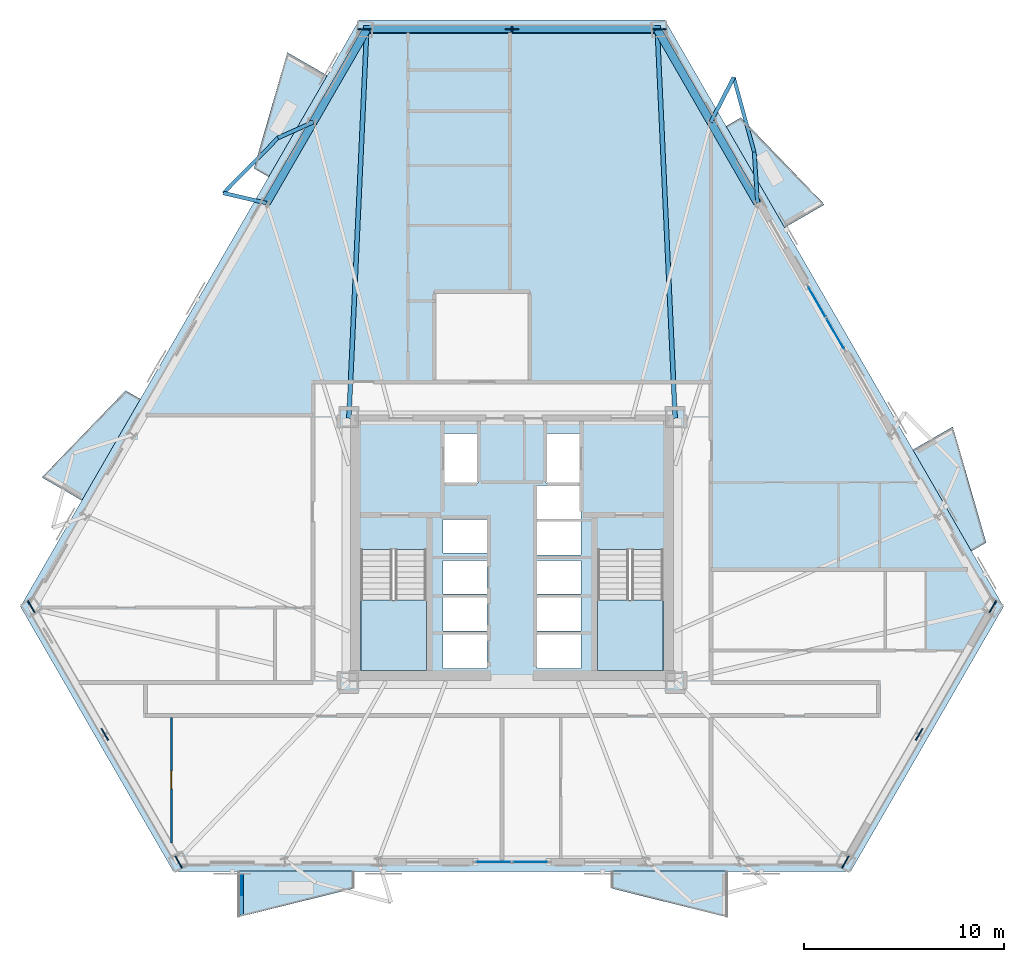
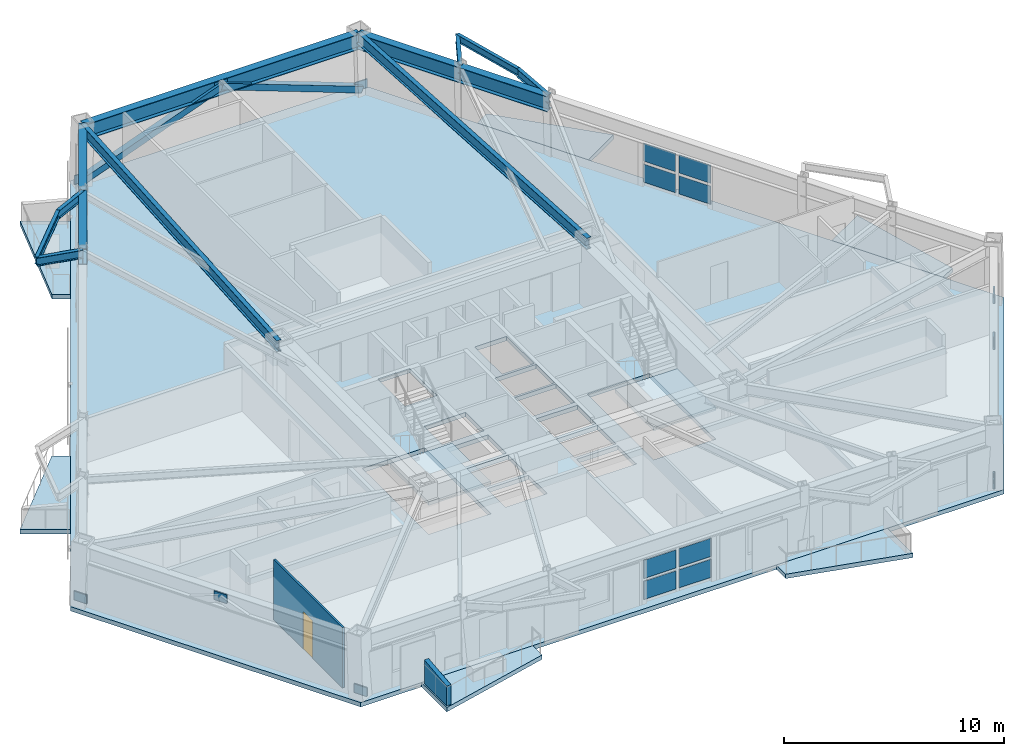
# One storey, part 5 of 15: 17 plates, 13 beams, 9 slabs, 2 members, 2 walls, 1 door, 1 opening, 4 elements without a shape of their own.
"""IFC4 building model written with IfcOpenShell, lengths in metres."""

from ifc_helpers import new_model, si_unit, direction, frame, frame_2d, origin, origin_2d, place, context, subcontext, project, spatial, polyline, rectangle, hollow_rectangle, i_section, outline, extrude, material, layer, layer_set, material_profile, profile_set, type_object, element, fill, aggregate, save


model = new_model("IFC4")

# Units and contexts
model_context = context("Model", 3, precision=1e-05, world=origin(), true_north=direction((0.0, 1.0)))
body_context = subcontext(model_context, "Body", "Model", "MODEL_VIEW")
ifc_project = project(units=[si_unit("LENGTHUNIT", "METRE"), si_unit("AREAUNIT", "SQUARE_METRE"), si_unit("VOLUMEUNIT", "CUBIC_METRE"), si_unit("PLANEANGLEUNIT", "RADIAN"), si_unit("MASSUNIT", "GRAM", prefix="KILO")], contexts=[model_context])

# Site, building, storey
site_placement = place(None, origin())
site = spatial("IfcSite", under=ifc_project, at=site_placement, CompositionType="ELEMENT")
building_placement = place(site_placement, origin())
building = spatial("IfcBuilding", under=site, at=building_placement, Name="Oramaril Tower", CompositionType="ELEMENT")
storey_placement = place(building_placement, frame((0.0, 0.0, 48.89990234375)))
storey = spatial("IfcBuildingStorey", under=building, at=storey_placement, Name="L12", CompositionType="ELEMENT", Elevation=48.89990234375)

# Beams
ifc_material_1 = material(Name="Steel ASTM A572 Gr 50", Category="steel")
ifc_material_profile_1 = material_profile(ifc_material_1, i_section(OverallWidth=0.19091796875, OverallDepth=0.45703125, WebThickness=0.009033203125, FlangeThickness=0.014404296875, at=origin_2d()), Name="W18X50")
ifc_profile_set_1 = profile_set([ifc_material_profile_1], Name="Steel ASTM A572 Gr 50")
beam_type_1 = type_object("IfcBeamType", Name="BT-BB1", PredefinedType="BEAM", material=ifc_profile_set_1)
beam_1_placement = place(storey_placement, frame((49.767578125, 34.896484375, 3.131591796875), z_axis=(-0.065725267405, 0.997837756965, 0.0), x_axis=(-0.997837756965, -0.065725267405, 0.0)))
element("IfcBeam", 1, at=beam_1_placement, inside=storey, type_object=beam_type_1, Name="L12 Balcony Column-Framed Cantilever 04.1", PredefinedType="BEAM", context=body_context, shape_type="SweptSolid", body=[
    extrude(i_section(OverallWidth=0.19091796875, OverallDepth=0.45703125, WebThickness=0.009033203125, FlangeThickness=0.014404296875, at=origin_2d()), origin(), (0.0, 0.0, 1.0), 2.552001953125),
])
beam_2_placement = place(storey_placement, frame((47.429443359375, 38.9462890625, 3.131591796875), z_axis=(0.457623051788, 0.889146299814, 0.0), x_axis=(-0.889146299814, 0.457623051788, 0.0)))
element("IfcBeam", 2, at=beam_2_placement, inside=storey, type_object=beam_type_1, Name="L12 Balcony Column-Framed Cantilever 04.2", PredefinedType="BEAM", context=body_context, shape_type="SweptSolid", body=[
    extrude(i_section(OverallWidth=0.19091796875, OverallDepth=0.45703125, WebThickness=0.009033203125, FlangeThickness=0.014404296875, at=origin_2d()), origin(), (0.0, 0.0, 1.0), 2.5068359375),
])
beam_3_placement = place(storey_placement, frame((27.570556640625, 38.9462890625, 3.131591796875), z_axis=(-0.911583042151, -0.411115990034, 0.0), x_axis=(0.411115990034, -0.911583042151, 0.0)))
element("IfcBeam", 3, at=beam_3_placement, inside=storey, type_object=beam_type_1, Name="L12 Balcony Column-Framed Cantilever 05.1", PredefinedType="BEAM", context=body_context, shape_type="SweptSolid", body=[
    extrude(i_section(OverallWidth=0.19091796875, OverallDepth=0.45703125, WebThickness=0.009033203125, FlangeThickness=0.014404296875, at=origin_2d()), origin(), (0.0, 0.0, 1.0), 1.931884765625),
])
beam_4_placement = place(storey_placement, frame((25.232421875, 34.896484375, 3.131591796875), z_axis=(-0.973537730187, 0.228526339626, 0.0), x_axis=(-0.228526339626, -0.973537730187, 0.0)))
element("IfcBeam", 4, at=beam_4_placement, inside=storey, type_object=beam_type_1, Name="L12 Balcony Column-Framed Cantilever 05.2", PredefinedType="BEAM", context=body_context, shape_type="SweptSolid", body=[
    extrude(i_section(OverallWidth=0.19091796875, OverallDepth=0.45703125, WebThickness=0.009033203125, FlangeThickness=0.014404296875, at=origin_2d()), origin(), (0.0, 0.0, 1.0), 2.201904296875),
])
ifc_material_2 = material(Name="Steel ASTM A572 Gr 50", Category="steel")
ifc_material_profile_2 = material_profile(ifc_material_2, i_section(OverallWidth=0.22900390625, OverallDepth=0.612060546875, WebThickness=0.011962890625, FlangeThickness=0.01953125, at=origin_2d()), Name="W24X84")
ifc_profile_set_2 = profile_set([ifc_material_profile_2], Name="Steel ASTM A572 Gr 50")
beam_type_2 = type_object("IfcBeamType", Name="BT-FB1", PredefinedType="BEAM", material=ifc_profile_set_2)
for number, where, z_axis, x_axis, name in (
    (5, (45.64990234375, 24.14990234375, 3.05419921875), (-0.045902571406, 0.998945921428, 0.0), (-0.998945921428, -0.045902571406, 0.0), "L12 Radial Primary Beam RB-05"),
    (6, (29.35009765625, 24.14990234375, 3.05419921875), (0.045902571406, 0.998945921428, 0.0), (-0.998945921428, 0.045902571406, 0.0), "L12 Radial Primary Beam RB-06"),
):
    element("IfcBeam", number, at=place(storey_placement, frame(where, z_axis=z_axis, x_axis=x_axis)), inside=storey, type_object=beam_type_2, Name=name, PredefinedType="BEAM", context=body_context, shape_type="SweptSolid", body=[
        extrude(i_section(OverallWidth=0.22900390625, OverallDepth=0.612060546875, WebThickness=0.011962890625, FlangeThickness=0.01953125, at=origin_2d()), origin(), (0.0, 0.0, 1.0), 19.445068359375),
    ])
ifc_material_3 = material(Name="Steel ASTM A572 Gr 50", Category="steel")
ifc_material_profile_3 = material_profile(ifc_material_3, i_section(OverallWidth=0.177978515625, OverallDepth=0.404052734375, WebThickness=0.007568359375, FlangeThickness=0.010986328125, at=origin_2d()), Name="W16X36")
ifc_profile_set_3 = profile_set([ifc_material_profile_3], Name="Steel ASTM A572 Gr 50")
beam_type_3 = type_object("IfcBeamType", Name="BT-SB1", PredefinedType="BEAM", material=ifc_profile_set_3)
for number, where, z_axis, x_axis, name in (
    (7, (49.599853515625, 37.44287109375, 3.158203125), (-0.264382243015, 0.964417974521, 0.0), (-0.964417974521, -0.264382243015, 0.0), "L12 Balcony Edge Tie Beam 04"),
    (8, (25.8095703125, 38.152099609375, 3.158203125), (-0.702994511648, -0.71119527318, 0.0), (0.71119527318, -0.702994511648, 0.0), "L12 Balcony Edge Tie Beam 05"),
):
    element("IfcBeam", number, at=place(storey_placement, frame(where, z_axis=z_axis, x_axis=x_axis)), inside=storey, type_object=beam_type_3, Name=name, PredefinedType="BEAM", context=body_context, shape_type="SweptSolid", body=[
        extrude(i_section(OverallWidth=0.177978515625, OverallDepth=0.404052734375, WebThickness=0.007568359375, FlangeThickness=0.010986328125, at=origin_2d()), origin(), (0.0, 0.0, 1.0), 3.8701171875),
    ])
ifc_material_4 = material(Name="Steel ASTM A572 Gr 50", Category="steel")
ifc_material_profile_4 = material_profile(ifc_material_4, i_section(OverallWidth=0.40087890625, OverallDepth=0.85595703125, WebThickness=0.018310546875, FlangeThickness=0.029296875, at=origin_2d()), Name="W33X201")
ifc_profile_set_4 = profile_set([ifc_material_profile_4], Name="Steel ASTM A572 Gr 50")
beam_type_4 = type_object("IfcBeamType", Name="BT-SP1", PredefinedType="SPANDREL", material=ifc_profile_set_4)
beam_5_placement = place(storey_placement, frame((49.767578125, 34.896484375, 2.93212890625), z_axis=(-0.499996622187, 0.866027353957, 0.0), x_axis=(-0.866027353957, -0.499996622187, 0.0)))
element("IfcBeam", 9, at=beam_5_placement, inside=storey, type_object=beam_type_4, Name="L12 Perimeter Spandrel 11", PredefinedType="SPANDREL", context=body_context, shape_type="SweptSolid", body=[
    extrude(i_section(OverallWidth=0.40087890625, OverallDepth=0.85595703125, WebThickness=0.018310546875, FlangeThickness=0.029296875, at=origin_2d()), origin(), (0.0, 0.0, 1.0), 4.67626953125),
])
beam_6_placement = place(storey_placement, frame((47.429443359375, 38.9462890625, 2.93212890625), z_axis=(-0.50000585708, 0.866022022171, 0.0), x_axis=(-0.866022022171, -0.50000585708, 0.0)))
element("IfcBeam", 10, at=beam_6_placement, inside=storey, type_object=beam_type_4, Name="L12 Perimeter Spandrel 12", PredefinedType="SPANDREL", context=body_context, shape_type="SweptSolid", body=[
    extrude(i_section(OverallWidth=0.40087890625, OverallDepth=0.85595703125, WebThickness=0.018310546875, FlangeThickness=0.029296875, at=origin_2d()), origin(), (0.0, 0.0, 1.0), 5.34423828125),
])
beam_7_placement = place(storey_placement, frame((44.75732421875, 43.574462890625, 2.93212890625), z_axis=(-1.0, 0.0, 0.0), x_axis=(0.0, -1.0, 0.0)))
element("IfcBeam", 11, at=beam_7_placement, inside=storey, type_object=beam_type_4, Name="L12 Perimeter Spandrel 13", PredefinedType="SPANDREL", context=body_context, shape_type="SweptSolid", body=[
    extrude(i_section(OverallWidth=0.40087890625, OverallDepth=0.85595703125, WebThickness=0.018310546875, FlangeThickness=0.029296875, at=origin_2d()), origin(), (0.0, 0.0, 1.0), 14.5146484375),
])
beam_8_placement = place(storey_placement, frame((30.24267578125, 43.574462890625, 2.93212890625), z_axis=(-0.50000585708, -0.866022022171, 0.0), x_axis=(0.866022022171, -0.50000585708, 0.0)))
element("IfcBeam", 12, at=beam_8_placement, inside=storey, type_object=beam_type_4, Name="L12 Perimeter Spandrel 14", PredefinedType="SPANDREL", context=body_context, shape_type="SweptSolid", body=[
    extrude(i_section(OverallWidth=0.40087890625, OverallDepth=0.85595703125, WebThickness=0.018310546875, FlangeThickness=0.029296875, at=origin_2d()), origin(), (0.0, 0.0, 1.0), 5.34423828125),
])
beam_9_placement = place(storey_placement, frame((27.570556640625, 38.9462890625, 2.93212890625), z_axis=(-0.499996622187, -0.866027353957, 0.0), x_axis=(0.866027353957, -0.499996622187, 0.0)))
element("IfcBeam", 13, at=beam_9_placement, inside=storey, type_object=beam_type_4, Name="L12 Perimeter Spandrel 15", PredefinedType="SPANDREL", context=body_context, shape_type="SweptSolid", body=[
    extrude(i_section(OverallWidth=0.40087890625, OverallDepth=0.85595703125, WebThickness=0.018310546875, FlangeThickness=0.029296875, at=origin_2d()), origin(), (0.0, 0.0, 1.0), 4.67626953125),
])

# Members
ifc_material_5 = material(Name="Steel ASTM A572 Gr 50", Category="steel")
ifc_material_profile_5 = material_profile(ifc_material_5, hollow_rectangle(XDim=0.35009765625, YDim=0.35009765625, WallThickness=0.01611328125, at=origin_2d()), Name="HSS350X350X16")
ifc_profile_set_5 = profile_set([ifc_material_profile_5], Name="Steel ASTM A572 Gr 50")
member_type = type_object("IfcMemberType", Name="MT-KB1", PredefinedType="BRACE", material=ifc_profile_set_5)
for number, where, z_axis, x_axis, name in (
    (14, (44.86669921875, 43.583984375, 0.18017578125), (-0.936769880465, 0.0, 0.349945983052), (0.0, -1.0, 0.0), "L12 Perimeter Chevron Brace KB-3A"),
    (15, (30.13330078125, 43.583984375, 0.18017578125), (0.936769880465, 0.0, 0.349945983052), (0.0, 1.0, 0.0), "L12 Perimeter Chevron Brace KB-3B"),
):
    element("IfcMember", number, at=place(storey_placement, frame(where, z_axis=z_axis, x_axis=x_axis)), inside=storey, type_object=member_type, Name=name, PredefinedType="BRACE", context=body_context, shape_type="SweptSolid", body=[
        extrude(hollow_rectangle(XDim=0.35009765625, YDim=0.35009765625, WallThickness=0.01611328125, at=origin_2d()), origin(), (0.0, 0.0, 1.0), 7.864013671875),
    ])

# Curtain wall, plates
ifc_material_6 = material(Name="Anodised Aluminium 6063-T6", Category="aluminium")
ifc_layer_1 = layer(ifc_material_6, 0.179931640625)
ifc_layer_set_1 = layer_set([ifc_layer_1], Name="CWT-SYS3")
curtain_wall_type = type_object("IfcCurtainWallType", Name="CWT-SYS3", PredefinedType="NOTDEFINED", material=ifc_layer_set_1)
curtain_wall_1_placement = place(storey_placement, origin())
curtain_wall_1 = element("IfcCurtainWall", 16, at=curtain_wall_1_placement, inside=storey, type_object=curtain_wall_type, Name="L12 Unitised Curtain Wall CW-3", PredefinedType="NOTDEFINED")
ifc_material_7 = material(Name="Coastal Low-E Insulated Glass", Category="glass")
ifc_layer_2 = layer(ifc_material_7, 0.035888671875)
ifc_layer_set_2 = layer_set([ifc_layer_2], Name="PLT-CWP3")
plate_type_1 = type_object("IfcPlateType", Name="PLT-CWP3", PredefinedType="CURTAIN_PANEL", material=ifc_layer_set_2)
plate_1_placement = place(storey_placement, frame((36.570068359375, 1.978271484375, 0.16015625), z_axis=(0.0, 0.0, 1.0), x_axis=(1.0, 0.0, 0.0)))
plate_1 = element("IfcPlate", 17, at=plate_1_placement, type_object=plate_type_1, Name="CW-3 panel 1.1", PredefinedType="CURTAIN_PANEL", context=body_context, shape_type="SweptSolid", body=[
    extrude(rectangle(XDim=1.679931640625, YDim=0.035888671875, at=origin_2d()), origin(), (0.0, 0.0, 1.0), 1.007080078125),
])
plate_2_placement = place(storey_placement, frame((36.570068359375, 1.978271484375, 1.3271484375), z_axis=(0.0, 0.0, 1.0), x_axis=(1.0, 0.0, 0.0)))
plate_2 = element("IfcPlate", 18, at=plate_2_placement, type_object=plate_type_1, Name="CW-3 panel 1.2", PredefinedType="CURTAIN_PANEL", context=body_context, shape_type="SweptSolid", body=[
    extrude(rectangle(XDim=1.679931640625, YDim=0.035888671875, at=origin_2d()), origin(), (0.0, 0.0, 1.0), 1.007080078125),
])
plate_3_placement = place(storey_placement, frame((38.429931640625, 1.978271484375, 0.16015625), z_axis=(0.0, 0.0, 1.0), x_axis=(1.0, 0.0, 0.0)))
plate_3 = element("IfcPlate", 19, at=plate_3_placement, type_object=plate_type_1, Name="CW-3 panel 2.1", PredefinedType="CURTAIN_PANEL", context=body_context, shape_type="SweptSolid", body=[
    extrude(rectangle(XDim=1.679931640625, YDim=0.035888671875, at=origin_2d()), origin(), (0.0, 0.0, 1.0), 1.007080078125),
])
plate_4_placement = place(storey_placement, frame((38.429931640625, 1.978271484375, 1.3271484375), z_axis=(0.0, 0.0, 1.0), x_axis=(1.0, 0.0, 0.0)))
plate_4 = element("IfcPlate", 20, at=plate_4_placement, type_object=plate_type_1, Name="CW-3 panel 2.2", PredefinedType="CURTAIN_PANEL", context=body_context, shape_type="SweptSolid", body=[
    extrude(rectangle(XDim=1.679931640625, YDim=0.035888671875, at=origin_2d()), origin(), (0.0, 0.0, 1.0), 1.007080078125),
])
aggregate(curtain_wall_1, [plate_1, plate_2, plate_3, plate_4])

curtain_wall_2_placement = place(storey_placement, origin())
curtain_wall_2 = element("IfcCurtainWall", 21, at=curtain_wall_2_placement, inside=storey, type_object=curtain_wall_type, Name="L12 Unitised Curtain Wall CW-3", PredefinedType="NOTDEFINED")
plate_5_placement = place(storey_placement, frame((53.658935546875, 28.35546875, 0.16015625), z_axis=(0.0, 0.0, 1.0), x_axis=(-0.499999897278, 0.866025463091, 0.0)))
plate_5 = element("IfcPlate", 22, at=plate_5_placement, type_object=plate_type_1, Name="CW-3 panel 1.1", PredefinedType="CURTAIN_PANEL", context=body_context, shape_type="SweptSolid", body=[
    extrude(rectangle(XDim=1.679931640625, YDim=0.035888671875, at=origin_2d()), origin(), (0.0, 0.0, 1.0), 1.007080078125),
])
plate_6_placement = place(storey_placement, frame((53.658935546875, 28.35546875, 1.3271484375), z_axis=(0.0, 0.0, 1.0), x_axis=(-0.499999897278, 0.866025463091, 0.0)))
plate_6 = element("IfcPlate", 23, at=plate_6_placement, type_object=plate_type_1, Name="CW-3 panel 1.2", PredefinedType="CURTAIN_PANEL", context=body_context, shape_type="SweptSolid", body=[
    extrude(rectangle(XDim=1.679931640625, YDim=0.035888671875, at=origin_2d()), origin(), (0.0, 0.0, 1.0), 1.007080078125),
])
plate_7_placement = place(storey_placement, frame((52.72900390625, 29.96630859375, 0.16015625), z_axis=(0.0, 0.0, 1.0), x_axis=(-0.499999897278, 0.866025463091, 0.0)))
plate_7 = element("IfcPlate", 24, at=plate_7_placement, type_object=plate_type_1, Name="CW-3 panel 2.1", PredefinedType="CURTAIN_PANEL", context=body_context, shape_type="SweptSolid", body=[
    extrude(rectangle(XDim=1.679931640625, YDim=0.035888671875, at=origin_2d()), origin(), (0.0, 0.0, 1.0), 1.007080078125),
])
plate_8_placement = place(storey_placement, frame((52.72900390625, 29.96630859375, 1.3271484375), z_axis=(0.0, 0.0, 1.0), x_axis=(-0.499999897278, 0.866025463091, 0.0)))
plate_8 = element("IfcPlate", 25, at=plate_8_placement, type_object=plate_type_1, Name="CW-3 panel 2.2", PredefinedType="CURTAIN_PANEL", context=body_context, shape_type="SweptSolid", body=[
    extrude(rectangle(XDim=1.679931640625, YDim=0.035888671875, at=origin_2d()), origin(), (0.0, 0.0, 1.0), 1.007080078125),
])
aggregate(curtain_wall_2, [plate_5, plate_6, plate_7, plate_8])

# Plates
ifc_material_8 = material(Name="Steel ASTM A572 Gr 50", Category="steel")
ifc_layer_3 = layer(ifc_material_8, 0.06005859375)
ifc_layer_set_3 = layer_set([ifc_layer_3], Name="PLT-G60")
plate_type_2 = type_object("IfcPlateType", Name="PLT-G60", PredefinedType="USERDEFINED", material=ifc_layer_set_3)
for number, where, z_axis, x_axis, name in (
    (26, (17.162353515625, 8.358154296875, 2.692138671875), (0.0, 0.0, 1.0), (0.5, -0.866025403784, 0.0), "L12 Chevron Brace Gusset Plate BN-1"),
    (27, (13.47900390625, 14.73779296875, 0.10009765625), (0.0, 0.0, 1.0), (0.5, -0.866025403784, 0.0), "L12 Chevron Brace Gusset Plate BN-1"),
    (28, (20.845703125, 1.978271484375, 0.10009765625), (0.0, 0.0, 1.0), (0.5, -0.866025403784, 0.0), "L12 Chevron Brace Gusset Plate BN-1"),
    (29, (57.837646484375, 8.358154296875, 2.692138671875), (0.0, 0.0, 1.0), (0.5, 0.866025403784, 0.0), "L12 Chevron Brace Gusset Plate BN-1"),
    (30, (54.154296875, 1.978271484375, 0.10009765625), (0.0, 0.0, 1.0), (0.5, 0.866025403784, 0.0), "L12 Chevron Brace Gusset Plate BN-1"),
    (31, (61.52099609375, 14.73779296875, 0.10009765625), (0.0, 0.0, 1.0), (0.5, 0.866025403784, 0.0), "L12 Chevron Brace Gusset Plate BN-1"),
    (32, (37.5, 43.583984375, 2.692138671875), (0.0, 0.0, 1.0), (-1.0, 0.0, 0.0), "L12 Chevron Brace Gusset Plate BN-1"),
    (33, (44.86669921875, 43.583984375, 0.10009765625), (0.0, 0.0, 1.0), (-1.0, 0.0, 0.0), "L12 Chevron Brace Gusset Plate BN-1"),
    (34, (30.13330078125, 43.583984375, 0.10009765625), (0.0, 0.0, 1.0), (-1.0, 0.0, 0.0), "L12 Chevron Brace Gusset Plate BN-1"),
):
    element("IfcPlate", number, at=place(storey_placement, frame(where, z_axis=z_axis, x_axis=x_axis)), inside=storey, type_object=plate_type_2, Name=name, ObjectType="GUSSET", PredefinedType="USERDEFINED", context=body_context, shape_type="SweptSolid", body=[
        extrude(rectangle(XDim=0.679931640625, YDim=0.06005859375, at=origin_2d()), origin(), (0.0, 0.0, 1.0), 0.47998046875),
    ])

# Slabs
ifc_material_9 = material(Name="Concrete C40/50", Category="concrete")
ifc_layer_4 = layer(ifc_material_9, 0.199951171875)
ifc_layer_set_4 = layer_set([ifc_layer_4], Name="SLT-BAL20")
slab_type_1 = type_object("IfcSlabType", Name="SLT-BAL20", PredefinedType="FLOOR", material=ifc_layer_set_4)
slab_1_placement = place(storey_placement, frame((0.0, 0.0, -0.239990234375)))
element("IfcSlab", 35, at=slab_1_placement, inside=storey, type_object=slab_type_1, Name="L12 Cantilevered Balcony Slab L12-BAL-S2", PredefinedType="FLOOR", context=body_context, shape_type="SweptSolid", body=[
    extrude(outline(polyline([(42.44482421875, 1.520263671875), (48.294921875, 1.520263671875), (48.294921875, -0.78173828125), (42.44482421875, 0.668212890625), (42.44482421875, 1.520263671875)])), origin(), (0.0, 0.0, 1.0), 0.239990234375),
])
slab_2_placement = place(storey_placement, frame((0.0, 0.0, -0.239990234375)))
element("IfcSlab", 36, at=slab_2_placement, inside=storey, type_object=slab_type_1, Name="L12 Cantilevered Balcony Slab L12-BAL-NE1", PredefinedType="FLOOR", context=body_context, shape_type="SweptSolid", body=[
    extrude(outline(polyline([(60.450439453125, 17.508056640625), (57.525390625, 22.57421875), (59.51904296875, 23.725341796875), (61.188232421875, 17.93408203125), (60.450439453125, 17.508056640625)])), origin(), (0.0, 0.0, 1.0), 0.239990234375),
])
slab_3_placement = place(storey_placement, frame((0.0, 0.0, -0.239990234375)))
element("IfcSlab", 37, at=slab_3_placement, inside=storey, type_object=slab_type_1, Name="L12 Cantilevered Balcony Slab L12-BAL-NW2", PredefinedType="FLOOR", context=body_context, shape_type="SweptSolid", body=[
    extrude(outline(polyline([(18.93701171875, 25.107421875), (16.011962890625, 20.041259765625), (14.018310546875, 21.192138671875), (18.19921875, 25.533447265625), (18.93701171875, 25.107421875)])), origin(), (0.0, 0.0, 1.0), 0.239990234375),
])
ifc_material_10 = material(Name="Concrete C50/60", Category="concrete")
ifc_layer_5 = layer(ifc_material_10, 0.239990234375)
ifc_layer_set_5 = layer_set([ifc_layer_5], Name="SLT-FLR24")
slab_type_2 = type_object("IfcSlabType", Name="SLT-FLR24", PredefinedType="FLOOR", material=ifc_layer_set_5)
slab_4_placement = place(storey_placement, frame((0.0, 0.0, -0.239990234375)))
element("IfcSlab", 38, at=slab_4_placement, inside=storey, type_object=slab_type_2, Name="L12 Structural Floor Slab", PredefinedType="FLOOR", context=body_context, shape_type="SweptSolid", body=[
    extrude(outline(polyline([(12.94775390625, 14.73779296875), (20.580078125, 1.518310546875), (54.419921875, 1.518310546875), (62.05224609375, 14.73779296875), (45.13232421875, 44.0439453125), (29.86767578125, 44.0439453125), (12.94775390625, 14.73779296875)]), holes=[polyline([(29.949951171875, 17.58935546875), (29.949951171875, 11.550048828125), (33.219970703125, 11.550048828125), (33.219970703125, 17.58935546875), (29.949951171875, 17.58935546875)]), polyline([(41.780029296875, 17.58935546875), (41.780029296875, 11.550048828125), (45.050048828125, 11.550048828125), (45.050048828125, 17.58935546875), (41.780029296875, 17.58935546875)]), polyline([(34.110107421875, 20.909912109375), (35.7900390625, 20.909912109375), (35.7900390625, 23.389892578125), (34.110107421875, 23.389892578125), (34.110107421875, 20.909912109375)]), polyline([(39.2099609375, 20.909912109375), (40.889892578125, 20.909912109375), (40.889892578125, 23.389892578125), (39.2099609375, 23.389892578125), (39.2099609375, 20.909912109375)]), polyline([(34.06005859375, 11.659912109375), (36.239990234375, 11.659912109375), (36.239990234375, 13.340087890625), (34.06005859375, 13.340087890625), (34.06005859375, 11.659912109375)]), polyline([(34.06005859375, 13.510009765625), (36.239990234375, 13.510009765625), (36.239990234375, 15.18994140625), (34.06005859375, 15.18994140625), (34.06005859375, 13.510009765625)]), polyline([(34.06005859375, 15.360107421875), (36.239990234375, 15.360107421875), (36.239990234375, 17.0400390625), (34.06005859375, 17.0400390625), (34.06005859375, 15.360107421875)]), polyline([(38.760009765625, 11.659912109375), (40.93994140625, 11.659912109375), (40.93994140625, 13.340087890625), (38.760009765625, 13.340087890625), (38.760009765625, 11.659912109375)]), polyline([(38.760009765625, 13.510009765625), (40.93994140625, 13.510009765625), (40.93994140625, 15.18994140625), (38.760009765625, 15.18994140625), (38.760009765625, 13.510009765625)]), polyline([(38.760009765625, 15.360107421875), (40.93994140625, 15.360107421875), (40.93994140625, 17.0400390625), (38.760009765625, 17.0400390625), (38.760009765625, 15.360107421875)]), polyline([(34.06005859375, 17.409912109375), (36.239990234375, 17.409912109375), (36.239990234375, 19.090087890625), (34.06005859375, 19.090087890625), (34.06005859375, 17.409912109375)]), polyline([(38.760009765625, 17.31005859375), (40.93994140625, 17.31005859375), (40.93994140625, 18.989990234375), (38.760009765625, 18.989990234375), (38.760009765625, 17.31005859375)]), polyline([(38.760009765625, 19.110107421875), (40.93994140625, 19.110107421875), (40.93994140625, 20.7900390625), (38.760009765625, 20.7900390625), (38.760009765625, 19.110107421875)])]), origin(), (0.0, 0.0, 1.0), 0.239990234375),
])

# Stair, slab
ifc_material_11 = material(Name="Concrete C50/60", Category="concrete")
stair_type = type_object("IfcStairType", Name="STT-DG-3600", PredefinedType="HALF_TURN_STAIR", material=ifc_material_11)
stair_1_placement = place(storey_placement, origin())
stair_1 = element("IfcStair", 39, at=stair_1_placement, inside=storey, type_object=stair_type, Name="L12 Protected PFP Exit Stair ST-1", PredefinedType="HALF_TURN_STAIR")
ifc_material_12 = material(Name="Concrete C50/60", Category="concrete")
ifc_layer_6 = layer(ifc_material_12, 0.199951171875)
ifc_layer_set_6 = layer_set([ifc_layer_6], Name="SLT-LND20")
slab_type_3 = type_object("IfcSlabType", Name="SLT-LND20", PredefinedType="LANDING", material=ifc_layer_set_6)
slab_5_placement = place(storey_placement, frame((0.0, 0.0, 1.60009765625)))
slab_5 = element("IfcSlab", 40, at=slab_5_placement, type_object=slab_type_3, Name="ST-1 landing 1", PredefinedType="LANDING", context=body_context, shape_type="SweptSolid", body=[
    extrude(outline(polyline([(29.949951171875, 15.070068359375), (29.949951171875, 11.550048828125), (33.219970703125, 11.550048828125), (33.219970703125, 15.070068359375), (29.949951171875, 15.070068359375)])), origin(), (0.0, 0.0, 1.0), 0.199951171875),
])
aggregate(stair_1, [slab_5])

stair_2_placement = place(storey_placement, origin())
stair_2 = element("IfcStair", 41, at=stair_2_placement, inside=storey, type_object=stair_type, Name="L12 Protected PFP Exit Stair ST-2", PredefinedType="HALF_TURN_STAIR")
slab_6_placement = place(storey_placement, frame((0.0, 0.0, 1.60009765625)))
slab_6 = element("IfcSlab", 42, at=slab_6_placement, type_object=slab_type_3, Name="ST-2 landing 1", PredefinedType="LANDING", context=body_context, shape_type="SweptSolid", body=[
    extrude(outline(polyline([(41.780029296875, 15.070068359375), (41.780029296875, 11.550048828125), (45.050048828125, 11.550048828125), (45.050048828125, 15.070068359375), (41.780029296875, 15.070068359375)])), origin(), (0.0, 0.0, 1.0), 0.199951171875),
])
aggregate(stair_2, [slab_6])

# Slabs
ifc_material_13 = material(Name="Concrete C40/50", Category="concrete")
ifc_layer_7 = layer(ifc_material_13, 0.18994140625)
ifc_layer_set_7 = layer_set([ifc_layer_7], Name="SLT-PLN19")
slab_type_4 = type_object("IfcSlabType", Name="SLT-PLN19", PredefinedType="FLOOR", material=ifc_layer_set_7)
slab_7_placement = place(storey_placement, frame((0.0, 0.0, -0.239990234375)))
element("IfcSlab", 43, at=slab_7_placement, inside=storey, type_object=slab_type_4, Name="L12 Tree Planter Balcony Slab L12-BAL-S1", PredefinedType="FLOOR", context=body_context, shape_type="SweptSolid", body=[
    extrude(outline(polyline([(23.780029296875, 1.520263671875), (29.630126953125, 1.520263671875), (29.630126953125, 0.668212890625), (23.780029296875, -0.78173828125), (23.780029296875, 1.520263671875)])), origin(), (0.0, 0.0, 1.0), 0.239990234375),
])
slab_8_placement = place(storey_placement, frame((0.0, 0.0, -0.239990234375)))
element("IfcSlab", 44, at=slab_8_placement, inside=storey, type_object=slab_type_4, Name="L12 Tree Planter Balcony Slab L12-BAL-NE2", PredefinedType="FLOOR", context=body_context, shape_type="SweptSolid", body=[
    extrude(outline(polyline([(51.1181640625, 33.672119140625), (48.193115234375, 38.738525390625), (48.930908203125, 39.16455078125), (53.11181640625, 34.8232421875), (51.1181640625, 33.672119140625)])), origin(), (0.0, 0.0, 1.0), 0.239990234375),
])
slab_9_placement = place(storey_placement, frame((0.0, 0.0, -0.239990234375)))
element("IfcSlab", 45, at=slab_9_placement, inside=storey, type_object=slab_type_4, Name="L12 Tree Planter Balcony Slab L12-BAL-NW1", PredefinedType="FLOOR", context=body_context, shape_type="SweptSolid", body=[
    extrude(outline(polyline([(28.269287109375, 41.271484375), (25.344482421875, 36.205322265625), (24.606689453125, 36.63134765625), (26.27587890625, 42.422607421875), (28.269287109375, 41.271484375)])), origin(), (0.0, 0.0, 1.0), 0.239990234375),
])

# Wall
ifc_material_14 = material(Name="Concrete C40/50", Category="concrete")
ifc_layer_8 = layer(ifc_material_14, 0.22998046875)
ifc_layer_set_8 = layer_set([ifc_layer_8], Name="WT-PRP23")
wall_type_1 = type_object("IfcWallType", Name="WT-PRP23", PredefinedType="PARAPET", material=ifc_layer_set_8)
wall_1_placement = place(storey_placement, frame((23.960205078125, 1.38037109375, 0.0), z_axis=(0.0, 0.0, 1.0), x_axis=(0.0, -1.0, 0.0)))
element("IfcWall", 46, at=wall_1_placement, inside=storey, type_object=wall_type_1, Name="L12 Trapezoidal Balcony Frame Cheek L12-BAL-S1-L", PredefinedType="PARAPET", context=body_context, shape_type="SweptSolid", body=[
    extrude(outline(polyline([(0.0, 0.0), (2.0419921875, 0.0), (2.0419921875, 1.10009765625), (0.0, 1.320068359375), (0.0, 0.0)])), frame((0.0, 0.114990234375, 0.0), z_axis=(0.0, -1.0, 0.0), x_axis=(1.0, 0.0, 0.0)), (0.0, 0.0, 1.0), 0.22998046875),
])

# Wall, opening, door
ifc_material_15 = material(Name="Acoustic Gypsum Board Partition")
ifc_layer_9 = layer(ifc_material_15, 0.10009765625)
ifc_layer_set_9 = layer_set([ifc_layer_9], Name="WT-PT10")
wall_type_2 = type_object("IfcWallType", Name="WT-PT10", PredefinedType="PARTITIONING", material=ifc_layer_set_9)
wall_2_placement = place(storey_placement, frame((20.489990234375, 2.9423828125, 0.0), z_axis=(0.0, 0.0, 1.0), x_axis=(0.0, 1.0, 0.0)))
wall_2 = element("IfcWall", 47, at=wall_2_placement, inside=storey, type_object=wall_type_2, Name="L12 Interior Partition PT-10", PredefinedType="PARTITIONING", context=body_context, shape_type="SweptSolid", body=[
    extrude(rectangle(XDim=6.253662109375, YDim=0.10009765625, at=frame_2d((3.126953125, 0.0))), origin(), (0.0, 0.0, 1.0), 3.360107421875),
])
opening_placement = place(wall_2_placement, frame((2.708251953125, 0.0, 0.0)))
opening = element("IfcOpeningElement", 48, at=opening_placement, cuts=wall_2, Name="Opening D-L12-15", PredefinedType="OPENING", context=body_context, shape_type="SweptSolid", body=[
    extrude(rectangle(XDim=0.8798828125, YDim=2.080078125, at=frame_2d((0.43994140625, 1.0400390625))), frame((0.0, 0.050048828125, 0.0), z_axis=(0.0, -1.0, 0.0), x_axis=(1.0, 0.0, 0.0)), (0.0, 0.0, 1.0), 0.10009765625),
])
ifc_material_16 = material(Name="FSC Brazilian Freijo Hardwood", Category="wood")
door_type = type_object("IfcDoorType", Name="DT-BATH", OperationType="NOTDEFINED", PredefinedType="DOOR", material=ifc_material_16)
door_placement = place(opening_placement, origin())
door = element("IfcDoor", 49, at=door_placement, inside=storey, type_object=door_type, Name="L12 Flat L12-U1 Bathroom Door D-L12-15", OperationType="SINGLE_SWING_RIGHT", OverallHeight=2.080078125, OverallWidth=0.8798828125, PredefinedType="DOOR", context=body_context, shape_type="SweptSolid", body=[
    extrude(rectangle(XDim=0.8798828125, YDim=2.080078125, at=frame_2d((0.43994140625, 1.0400390625))), frame((0.0, 0.02490234375, 0.0), z_axis=(0.0, -1.0, 0.0), x_axis=(1.0, 0.0, 0.0)), (0.0, 0.0, 1.0), 0.050048828125),
])
fill(opening, door)

save(model, "model.ifc")
